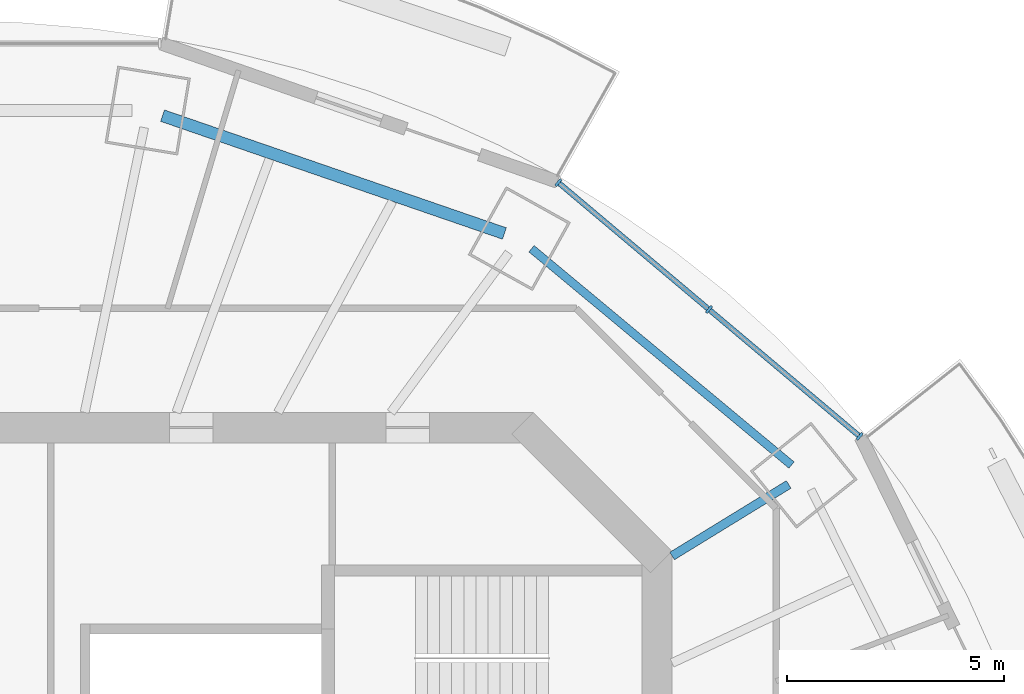
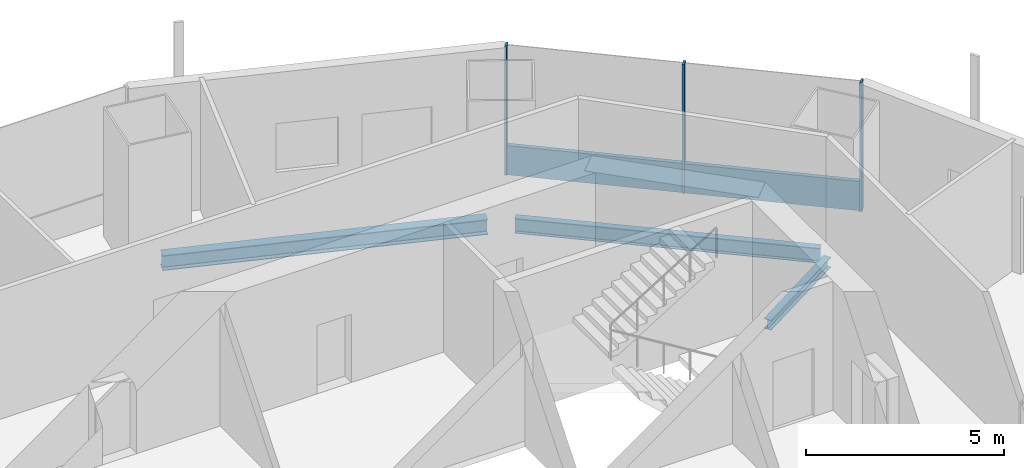
# One storey, part 6 of 15: 4 members, 3 beams, 1 element without a shape of its own.
"""IFC4 building model written with IfcOpenShell, lengths in metres."""

from ifc_helpers import new_model, si_unit, direction, frame, origin, origin_2d, place, context, subcontext, project, spatial, rectangle, i_section, extrude, material, material_profile, profile_set, type_object, element, aggregate, save


model = new_model("IFC4")

# Units and contexts
model_context = context("Model", 3, precision=1e-05, world=origin(), true_north=direction((0.0, 1.0)))
body_context = subcontext(model_context, "Body", "Model", "MODEL_VIEW")
ifc_project = project(units=[si_unit("LENGTHUNIT", "METRE"), si_unit("AREAUNIT", "SQUARE_METRE"), si_unit("VOLUMEUNIT", "CUBIC_METRE"), si_unit("PLANEANGLEUNIT", "RADIAN"), si_unit("MASSUNIT", "GRAM", prefix="KILO")], contexts=[model_context])

# Site, building, storey
site_placement = place(None, origin())
site = spatial("IfcSite", under=ifc_project, at=site_placement, CompositionType="ELEMENT")
building_placement = place(site_placement, origin())
building = spatial("IfcBuilding", under=site, at=building_placement, Name="Marenthal Gate Tower", CompositionType="ELEMENT")
storey_placement = place(building_placement, frame((0.0, 0.0, 388.25)))
storey = spatial("IfcBuildingStorey", under=building, at=storey_placement, Name="L88", CompositionType="ELEMENT", Elevation=388.25)

# Curtain wall, members
ifc_material_1 = material(Name="Aluminium and glass", Category="aluminium")
curtain_wall_type = type_object("IfcCurtainWallType", Name="Curtain wall typical high", PredefinedType="NOTDEFINED", material=ifc_material_1)
curtain_wall_placement = place(storey_placement, origin())
curtain_wall = element("IfcCurtainWall", 1, at=curtain_wall_placement, inside=storey, type_object=curtain_wall_type, Name="Curtain wall L88 bay 2", PredefinedType="NOTDEFINED")
ifc_material_2 = material(Name="Aluminium", Category="aluminium")
ifc_material_profile_1 = material_profile(ifc_material_2, rectangle(XDim=0.199951171875, YDim=0.06005859375, at=origin_2d()), Name="60x200 aluminium mullion")
ifc_profile_set_1 = profile_set([ifc_material_profile_1], Name="Aluminium")
member_type_1 = type_object("IfcMemberType", Name="Mullion 60x200 typical high", PredefinedType="MULLION", material=ifc_profile_set_1)
member_1_placement = place(storey_placement, frame((20.6796875, 12.79736328125, 0.0), z_axis=(0.0, 0.0, 1.0), x_axis=(-0.644265226944, -0.764802142616, 0.0)))
member_1 = element("IfcMember", 2, at=member_1_placement, type_object=member_type_1, Name="Mullion L88 bay 2.1", PredefinedType="MULLION", context=body_context, shape_type="SweptSolid", body=[
    extrude(rectangle(XDim=0.199951171875, YDim=0.06005859375, at=origin_2d()), origin(), (0.0, 0.0, 1.0), 3.969970703125),
])
member_2_placement = place(storey_placement, frame((17.201416015625, 15.7275390625, 0.0), z_axis=(0.0, 0.0, 1.0), x_axis=(-0.644265226944, -0.764802142616, 0.0)))
member_2 = element("IfcMember", 3, at=member_2_placement, type_object=member_type_1, Name="Mullion L88 bay 2.2", PredefinedType="MULLION", context=body_context, shape_type="SweptSolid", body=[
    extrude(rectangle(XDim=0.199951171875, YDim=0.06005859375, at=origin_2d()), origin(), (0.0, 0.0, 1.0), 3.969970703125),
])
member_3_placement = place(storey_placement, frame((13.723388671875, 18.657470703125, 0.0), z_axis=(0.0, 0.0, 1.0), x_axis=(-0.644265226944, -0.764802142616, 0.0)))
member_3 = element("IfcMember", 4, at=member_3_placement, type_object=member_type_1, Name="Mullion L88 bay 2.3", PredefinedType="MULLION", context=body_context, shape_type="SweptSolid", body=[
    extrude(rectangle(XDim=0.199951171875, YDim=0.06005859375, at=origin_2d()), origin(), (0.0, 0.0, 1.0), 3.969970703125),
])
ifc_material_3 = material(Name="Aluminium", Category="aluminium")
ifc_material_profile_2 = material_profile(ifc_material_3, rectangle(XDim=0.1201171875, YDim=0.89990234375, at=origin_2d()), Name="120x900 aluminium transom")
ifc_profile_set_2 = profile_set([ifc_material_profile_2], Name="Aluminium")
member_type_2 = type_object("IfcMemberType", Name="Transom 120x900 typical high", PredefinedType="USERDEFINED", material=ifc_profile_set_2)
member_4_placement = place(storey_placement, frame((20.65673828125, 12.816650390625, 0.449951171875), z_axis=(-0.764788567143, 0.644281341937, 0.0), x_axis=(-0.644281341937, -0.764788567143, 0.0)))
member_4 = element("IfcMember", 5, at=member_4_placement, type_object=member_type_2, Name="Transom L88 bay 2", ObjectType="TRANSOM", PredefinedType="USERDEFINED", context=body_context, shape_type="SweptSolid", body=[
    extrude(rectangle(XDim=0.1201171875, YDim=0.89990234375, at=origin_2d()), origin(), (0.0, 0.0, 1.0), 9.03564453125),
])
aggregate(curtain_wall, [member_1, member_2, member_3, member_4])

# Beams
ifc_material_4 = material(Name="Steel S355", Category="steel")
ifc_material_profile_3 = material_profile(ifc_material_4, i_section(OverallWidth=0.205078125, OverallDepth=0.31005859375, WebThickness=0.009521484375, FlangeThickness=0.016357421875, FilletRadius=0.0126953125, at=origin_2d()), Name="W310X74")
ifc_profile_set_3 = profile_set([ifc_material_profile_3], Name="Steel S355")
beam_type_1 = type_object("IfcBeamType", Name="W310X74 beam", PredefinedType="BEAM", material=ifc_profile_set_3)
beam_1_placement = place(storey_placement, frame((19.0419921875, 11.687255859375, -0.3349609375), z_axis=(-0.852286702613, -0.523074924413, 0.0), x_axis=(0.523074924413, -0.852286702613, 0.0)))
element("IfcBeam", 6, at=beam_1_placement, inside=storey, type_object=beam_type_1, Name="BM-L88-02", PredefinedType="BEAM", context=body_context, shape_type="SweptSolid", body=[
    extrude(i_section(OverallWidth=0.205078125, OverallDepth=0.31005859375, WebThickness=0.009521484375, FlangeThickness=0.016357421875, FilletRadius=0.0126953125, at=origin_2d()), origin(), (0.0, 0.0, 1.0), 3.158447265625),
])
ifc_material_5 = material(Name="Steel S355", Category="steel")
ifc_material_profile_4 = material_profile(ifc_material_5, i_section(OverallWidth=0.279052734375, OverallDepth=0.4619140625, WebThickness=0.0107421875, FlangeThickness=0.017333984375, FilletRadius=0.010009765625, at=origin_2d()), Name="W460X113")
ifc_profile_set_4 = profile_set([ifc_material_profile_4], Name="Steel S355")
beam_type_2 = type_object("IfcBeamType", Name="W460X113 beam", PredefinedType="BEAM", material=ifc_profile_set_4)
beam_2_placement = place(storey_placement, frame((12.47900390625, 17.4814453125, -0.410888671875), z_axis=(-0.945444742422, 0.325782502639, 0.0), x_axis=(-0.325782502639, -0.945444742422, 0.0)))
element("IfcBeam", 7, at=beam_2_placement, inside=storey, type_object=beam_type_2, Name="BM-L88-40", PredefinedType="BEAM", context=body_context, shape_type="SweptSolid", body=[
    extrude(i_section(OverallWidth=0.279052734375, OverallDepth=0.4619140625, WebThickness=0.0107421875, FlangeThickness=0.017333984375, FilletRadius=0.010009765625, at=origin_2d()), origin(), (0.0, 0.0, 1.0), 8.34912109375),
])
ifc_material_6 = material(Name="Steel S355", Category="steel")
ifc_material_profile_5 = material_profile(ifc_material_6, i_section(OverallWidth=0.19091796875, OverallDepth=0.45703125, WebThickness=0.009033203125, FlangeThickness=0.014404296875, FilletRadius=0.01025390625, at=origin_2d()), Name="W460X74")
ifc_profile_set_5 = profile_set([ifc_material_profile_5], Name="Steel S355")
beam_type_3 = type_object("IfcBeamType", Name="W460X74 beam", PredefinedType="BEAM", material=ifc_profile_set_5)
beam_3_placement = place(storey_placement, frame((19.106689453125, 12.13525390625, -0.408447265625), z_axis=(-0.768754019675, 0.63954457017, 0.0), x_axis=(-0.63954457017, -0.768754019675, 0.0)))
element("IfcBeam", 8, at=beam_3_placement, inside=storey, type_object=beam_type_3, Name="BM-L88-39", PredefinedType="BEAM", context=body_context, shape_type="SweptSolid", body=[
    extrude(i_section(OverallWidth=0.19091796875, OverallDepth=0.45703125, WebThickness=0.009033203125, FlangeThickness=0.014404296875, FilletRadius=0.01025390625, at=origin_2d()), origin(), (0.0, 0.0, 1.0), 7.809326171875),
])

save(model, "model.ifc")
